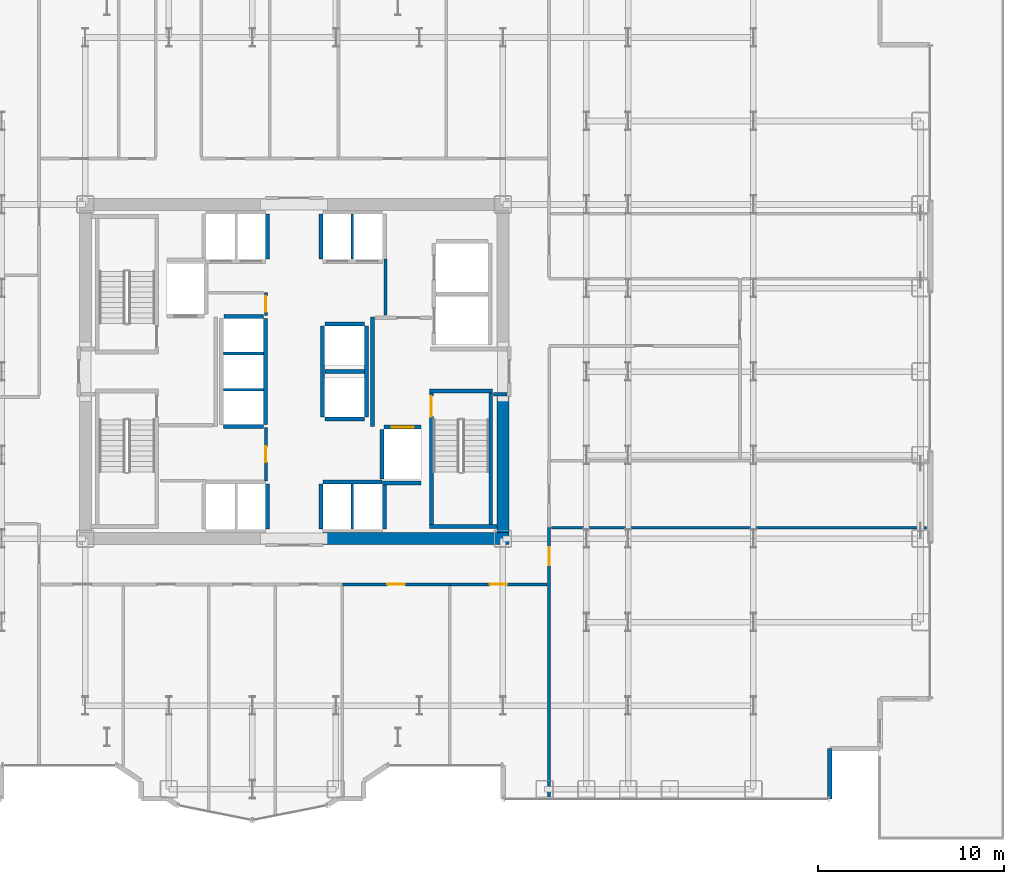
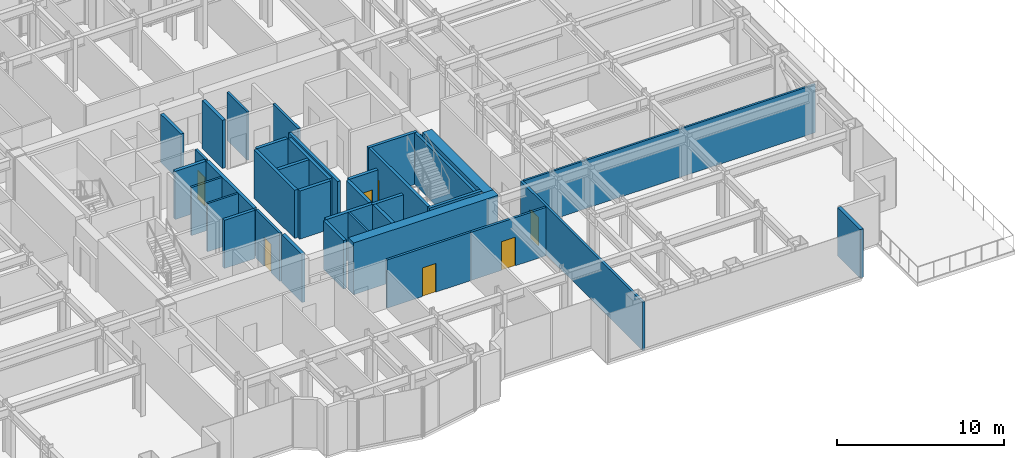
# One storey, part 24 of 30: 37 walls, 7 doors, 7 openings.
"""IFC4 building model written with IfcOpenShell, lengths in metres."""

from ifc_helpers import new_model, si_unit, direction, frame, frame_2d, origin, place, context, subcontext, project, spatial, rectangle, extrude, source, transform, mapped, material, layer, layer_set, type_object, element, fill, save


model = new_model("IFC4")

# Units and contexts
model_context = context("Model", 3, precision=1e-05, world=origin(), true_north=direction((0.0, 1.0)))
body_context = subcontext(model_context, "Body", "Model", "MODEL_VIEW")
ifc_project = project(units=[si_unit("LENGTHUNIT", "METRE"), si_unit("AREAUNIT", "SQUARE_METRE"), si_unit("VOLUMEUNIT", "CUBIC_METRE"), si_unit("PLANEANGLEUNIT", "RADIAN"), si_unit("MASSUNIT", "GRAM", prefix="KILO")], contexts=[model_context])

# Site, building, storey
site_placement = place(None, origin())
site = spatial("IfcSite", under=ifc_project, at=site_placement, CompositionType="ELEMENT")
building_placement = place(site_placement, origin())
building = spatial("IfcBuilding", under=site, at=building_placement, Name="Nefas-Gora Pilgrimage Tower", CompositionType="ELEMENT")
storey_placement = place(building_placement, frame((0.0, 0.0, 33.0)))
storey = spatial("IfcBuildingStorey", under=building, at=storey_placement, Name="L06", CompositionType="ELEMENT", Elevation=33.0)

# Walls
ifc_material_1 = material(Name="Concrete C60/75", Category="concrete")
ifc_layer_1 = layer(ifc_material_1, 0.64990234375)
ifc_layer_set_1 = layer_set([ifc_layer_1], Name="Concrete C60/75")
wall_type_1 = type_object("IfcWallType", Name="SW-CORE-650", PredefinedType="SHEAR", material=ifc_layer_set_1)
shared_shape_1 = source(origin(), body_context, "Body", "SweptSolid", [
    extrude(rectangle(XDim=10.02490234375, YDim=0.64990234375, at=frame_2d((5.012451171875, 0.0))), origin(), (0.0, 0.0, 1.0), 3.800048828125),
])
wall_1_placement = place(storey_placement, frame((1.550048828125, -9.0, 0.0), z_axis=(0.0, 0.0, 1.0), x_axis=(1.0, 0.0, 0.0)))
element("IfcWall", 1, at=wall_1_placement, inside=storey, type_object=wall_type_1, Name="L06 Core Shear Wall S-East", PredefinedType="SHEAR", context=body_context, shape_type="MappedRepresentation", body=[
    mapped(shared_shape_1, transform((0.0, 0.0, 0.0), x_axis=(1.0, 0.0, 0.0), y_axis=(0.0, 1.0, 0.0), z_axis=(0.0, 0.0, 1.0), scale=1.0)),
])
shared_shape_2 = source(origin(), body_context, "Body", "SweptSolid", [
    extrude(rectangle(XDim=7.324951171875, YDim=0.64990234375, at=frame_2d((3.66259765625, 0.0))), origin(), (0.0, 0.0, 1.0), 3.800048828125),
])
wall_2_placement = place(storey_placement, frame((11.25, -8.675048828125, 0.0), z_axis=(0.0, 0.0, 1.0), x_axis=(0.0, 1.0, 0.0)))
element("IfcWall", 2, at=wall_2_placement, inside=storey, type_object=wall_type_1, Name="L06 Core Shear Wall E-South", PredefinedType="SHEAR", context=body_context, shape_type="MappedRepresentation", body=[
    mapped(shared_shape_2, transform((0.0, 0.0, 0.0), x_axis=(1.0, 0.0, 0.0), y_axis=(0.0, 1.0, 0.0), z_axis=(0.0, 0.0, 1.0), scale=1.0)),
])
ifc_material_2 = material(Name="Precast concrete C45/55", Category="concrete")
ifc_layer_2 = layer(ifc_material_2, 0.239990234375)
ifc_layer_set_2 = layer_set([ifc_layer_2], Name="Precast concrete C45/55")
wall_type_2 = type_object("IfcWallType", Name="EW-SERR-240", PredefinedType="SHEAR", material=ifc_layer_set_2)
shared_shape_3 = source(origin(), body_context, "Body", "SweptSolid", [
    extrude(rectangle(XDim=2.699951171875, YDim=0.239990234375, at=frame_2d((1.35009765625, 0.0))), origin(), (0.0, 0.0, 1.0), 3.550048828125),
])
wall_3_placement = place(storey_placement, frame((28.8701171875, -23.02001953125, 0.0), z_axis=(0.0, 0.0, 1.0), x_axis=(0.0, 1.0, 0.0)))
element("IfcWall", 3, at=wall_3_placement, inside=storey, type_object=wall_type_2, Name="L06 Serrated Corner Shear Pier Wall 6", PredefinedType="SHEAR", context=body_context, shape_type="MappedRepresentation", body=[
    mapped(shared_shape_3, transform((0.0, 0.0, 0.0), x_axis=(1.0, 0.0, 0.0), y_axis=(0.0, 1.0, 0.0), z_axis=(0.0, 0.0, 1.0), scale=1.0)),
])
ifc_material_3 = material(Name="Concrete C45/55", Category="concrete")
ifc_layer_3 = layer(ifc_material_3, 0.199951171875)
ifc_layer_set_3 = layer_set([ifc_layer_3], Name="Concrete C45/55")
wall_type_3 = type_object("IfcWallType", Name="IW-STAIR-200", PredefinedType="SOLIDWALL", material=ifc_layer_set_3)
shared_shape_4 = source(origin(), body_context, "Body", "SweptSolid", [
    extrude(rectangle(XDim=3.39990234375, YDim=0.199951171875, at=frame_2d((1.699951171875, 0.0))), origin(), (0.0, 0.0, 1.0), 3.800048828125),
])
wall_4_placement = place(storey_placement, frame((7.300048828125, -1.050048828125, 0.0), z_axis=(0.0, 0.0, 1.0), x_axis=(1.0, 0.0, 0.0)))
element("IfcWall", 4, at=wall_4_placement, inside=storey, type_object=wall_type_3, Name="L06 Stairwell Shear Wall ST-02-near", PredefinedType="SOLIDWALL", context=body_context, shape_type="MappedRepresentation", body=[
    mapped(shared_shape_4, transform((0.0, 0.0, 0.0), x_axis=(1.0, 0.0, 0.0), y_axis=(0.0, 1.0, 0.0), z_axis=(0.0, 0.0, 1.0), scale=1.0)),
])
shared_shape_5 = source(origin(), body_context, "Body", "SweptSolid", [
    extrude(rectangle(XDim=3.6298828125, YDim=0.199951171875, at=frame_2d((1.81494140625, 0.0))), origin(), (0.0, 0.0, 1.0), 3.800048828125),
])
wall_5_placement = place(storey_placement, frame((7.300048828125, -8.35009765625, 0.0), z_axis=(0.0, 0.0, 1.0), x_axis=(1.0, 0.0, 0.0)))
element("IfcWall", 5, at=wall_5_placement, inside=storey, type_object=wall_type_3, Name="L06 Stairwell Shear Wall ST-02-far", PredefinedType="SOLIDWALL", context=body_context, shape_type="MappedRepresentation", body=[
    mapped(shared_shape_5, transform((0.0, 0.0, 0.0), x_axis=(1.0, 0.0, 0.0), y_axis=(0.0, 1.0, 0.0), z_axis=(0.0, 0.0, 1.0), scale=1.0)),
])

# Wall, opening, door
shared_shape_6 = source(origin(), body_context, "Body", "SweptSolid", [
    extrude(rectangle(XDim=7.10009765625, YDim=0.199951171875, at=frame_2d((3.550048828125, 0.0))), origin(), (0.0, 0.0, 1.0), 3.800048828125),
])
wall_6_placement = place(storey_placement, frame((7.39990234375, -1.14990234375, 0.0), z_axis=(0.0, 0.0, 1.0), x_axis=(0.0, -1.0, 0.0)))
wall_6 = element("IfcWall", 6, at=wall_6_placement, inside=storey, type_object=wall_type_3, Name="L06 Stairwell Shear Wall ST-02-left", PredefinedType="SOLIDWALL", context=body_context, shape_type="MappedRepresentation", body=[
    mapped(shared_shape_6, transform((0.0, 0.0, 0.0), x_axis=(1.0, 0.0, 0.0), y_axis=(0.0, 1.0, 0.0), z_axis=(0.0, 0.0, 1.0), scale=1.0)),
])
opening_1_placement = place(wall_6_placement, frame((0.179931640625, 0.0, 0.0)))
opening_1 = element("IfcOpeningElement", 7, at=opening_1_placement, cuts=wall_6, Name="Opening ID-ST1", PredefinedType="OPENING", context=body_context, shape_type="SweptSolid", body=[
    extrude(rectangle(XDim=1.10009765625, YDim=2.14990234375, at=frame_2d((0.550048828125, 1.074951171875))), frame((0.0, 0.10986328125, 0.0), z_axis=(0.0, -1.0, 0.0), x_axis=(1.0, 0.0, 0.0)), (0.0, 0.0, 1.0), 0.219970703125),
])
ifc_material_4 = material(Name="Painted galvanised steel fire stair door", Category="steel")
door_type_1 = type_object("IfcDoorType", Name="DR-INT-STAIR-1100", OperationType="NOTDEFINED", PredefinedType="DOOR", material=ifc_material_4)
shared_shape_7 = source(origin(), body_context, "Body", "SweptSolid", [
    extrude(rectangle(XDim=1.10009765625, YDim=2.14990234375, at=frame_2d((0.550048828125, 1.074951171875))), frame((0.0, 0.02490234375, 0.0), z_axis=(0.0, -1.0, 0.0), x_axis=(1.0, 0.0, 0.0)), (0.0, 0.0, 1.0), 0.050048828125),
])
door_1_placement = place(opening_1_placement, origin())
door_1 = element("IfcDoor", 8, at=door_1_placement, inside=storey, type_object=door_type_1, Name="L06 Protected Exit Stair Door ST-02", OperationType="SINGLE_SWING_LEFT", OverallHeight=2.14990234375, OverallWidth=1.10009765625, PredefinedType="DOOR", context=body_context, shape_type="MappedRepresentation", body=[
    mapped(shared_shape_7, transform((0.0, 0.0, 0.0), x_axis=(1.0, 0.0, 0.0), y_axis=(0.0, 1.0, 0.0), z_axis=(0.0, 0.0, 1.0), scale=1.0)),
])
fill(opening_1, door_1)

# Wall
wall_7_placement = place(storey_placement, frame((10.60009765625, -1.14990234375, 0.0), z_axis=(0.0, 0.0, 1.0), x_axis=(0.0, -1.0, 0.0)))
element("IfcWall", 9, at=wall_7_placement, inside=storey, type_object=wall_type_3, Name="L06 Stairwell Shear Wall ST-02-right", PredefinedType="SOLIDWALL", context=body_context, shape_type="MappedRepresentation", body=[
    mapped(shared_shape_6, transform((0.0, 0.0, 0.0), x_axis=(1.0, 0.0, 0.0), y_axis=(0.0, 1.0, 0.0), z_axis=(0.0, 0.0, 1.0), scale=1.0)),
])

# Wall, opening, door
ifc_material_5 = material(Name="Concrete C40/50", Category="concrete")
ifc_layer_4 = layer(ifc_material_5, 0.219970703125)
ifc_layer_set_4 = layer_set([ifc_layer_4], Name="Concrete C40/50")
wall_type_4 = type_object("IfcWallType", Name="IW-SHAFT-220", PredefinedType="SOLIDWALL", material=ifc_layer_set_4)
shared_shape_8 = source(origin(), body_context, "Body", "SweptSolid", [
    extrude(rectangle(XDim=2.0, YDim=0.219970703125, at=frame_2d((1.0, 0.0))), origin(), (0.0, 0.0, 1.0), 3.534912109375),
])
wall_8_placement = place(storey_placement, frame((6.85009765625, -2.989990234375, 0.0), z_axis=(0.0, 0.0, 1.0), x_axis=(-1.0, 0.0, 0.0)))
wall_8 = element("IfcWall", 10, at=wall_8_placement, inside=storey, type_object=wall_type_4, Name="L06 Hoistway Wall FFL-02-N", PredefinedType="SOLIDWALL", context=body_context, shape_type="MappedRepresentation", body=[
    mapped(shared_shape_8, transform((0.0, 0.0, 0.0), x_axis=(1.0, 0.0, 0.0), y_axis=(0.0, 1.0, 0.0), z_axis=(0.0, 0.0, 1.0), scale=1.0)),
])
opening_2_placement = place(wall_8_placement, frame((0.39990234375, 0.0, 0.0)))
opening_2 = element("IfcOpeningElement", 11, at=opening_2_placement, cuts=wall_8, Name="Opening LD-FF", PredefinedType="OPENING", context=body_context, shape_type="SweptSolid", body=[
    extrude(rectangle(XDim=1.199951171875, YDim=2.199951171875, at=frame_2d((0.60009765625, 1.10009765625))), frame((0.0, 0.119873046875, 0.0), z_axis=(0.0, -1.0, 0.0), x_axis=(1.0, 0.0, 0.0)), (0.0, 0.0, 1.0), 0.239990234375),
])
ifc_material_6 = material(Name="Fire-service sliding lift landing door")
door_type_2 = type_object("IfcDoorType", Name="DR-LIFT-FSAE-1200", OperationType="SLIDING_TO_LEFT", PredefinedType="DOOR", material=ifc_material_6)
shared_shape_9 = source(origin(), body_context, "Body", "SweptSolid", [
    extrude(rectangle(XDim=1.199951171875, YDim=2.199951171875, at=frame_2d((0.60009765625, 1.10009765625))), frame((0.0, 0.02490234375, 0.0), z_axis=(0.0, -1.0, 0.0), x_axis=(1.0, 0.0, 0.0)), (0.0, 0.0, 1.0), 0.050048828125),
])
door_2_placement = place(opening_2_placement, origin())
door_2 = element("IfcDoor", 12, at=door_2_placement, inside=storey, type_object=door_type_2, Name="L06 Sliding Lift Landing Door FFL-02", OperationType="SLIDING_TO_LEFT", OverallHeight=2.199951171875, OverallWidth=1.199951171875, PredefinedType="DOOR", context=body_context, shape_type="MappedRepresentation", body=[
    mapped(shared_shape_9, transform((0.0, 0.0, 0.0), x_axis=(1.0, 0.0, 0.0), y_axis=(0.0, 1.0, 0.0), z_axis=(0.0, 0.0, 1.0), scale=1.0)),
])
fill(opening_2, door_2)

# Walls
shared_shape_10 = source(origin(), body_context, "Body", "SweptSolid", [
    extrude(rectangle(XDim=2.679931640625, YDim=0.219970703125, at=frame_2d((1.33984375, 0.0))), origin(), (0.0, 0.0, 1.0), 3.534912109375),
])
wall_9_placement = place(storey_placement, frame((4.739990234375, -3.110107421875, 0.0), z_axis=(0.0, 0.0, 1.0), x_axis=(0.0, -1.0, 0.0)))
element("IfcWall", 13, at=wall_9_placement, inside=storey, type_object=wall_type_4, Name="L06 Hoistway Wall FFL-02-W", PredefinedType="SOLIDWALL", context=body_context, shape_type="MappedRepresentation", body=[
    mapped(shared_shape_10, transform((0.0, 0.0, 0.0), x_axis=(1.0, 0.0, 0.0), y_axis=(0.0, 1.0, 0.0), z_axis=(0.0, 0.0, 1.0), scale=1.0)),
])
shared_shape_11 = source(origin(), body_context, "Body", "SweptSolid", [
    extrude(rectangle(XDim=3.199951171875, YDim=0.219970703125, at=frame_2d((1.60009765625, 0.0))), origin(), (0.0, 0.0, 1.0), 3.534912109375),
])
wall_10_placement = place(storey_placement, frame((4.75, -5.93994140625, 0.0), z_axis=(0.0, 0.0, 1.0), x_axis=(-1.0, 0.0, 0.0)))
element("IfcWall", 14, at=wall_10_placement, inside=storey, type_object=wall_type_4, Name="L06 Hoistway Wall PL2-E-N", PredefinedType="SOLIDWALL", context=body_context, shape_type="MappedRepresentation", body=[
    mapped(shared_shape_11, transform((0.0, 0.0, 0.0), x_axis=(1.0, 0.0, 0.0), y_axis=(0.0, 1.0, 0.0), z_axis=(0.0, 0.0, 1.0), scale=1.0)),
])
shared_shape_12 = source(origin(), body_context, "Body", "SweptSolid", [
    extrude(rectangle(XDim=2.429931640625, YDim=0.219970703125, at=frame_2d((1.21484375, 0.0))), origin(), (0.0, 0.0, 1.0), 3.534912109375),
])
for number, where, z_axis, x_axis, name in (
    (15, (-1.43994140625, 6.06005859375, 0.0), (0.0, 0.0, 1.0), (0.0, 1.0, 0.0), "L06 Hoistway Wall PL1-W-E"),
    (16, (1.43994140625, 8.489990234375, 0.0), (0.0, 0.0, 1.0), (0.0, -1.0, 0.0), "L06 Hoistway Wall PL1-E-W"),
    (17, (-1.43994140625, -8.489990234375, 0.0), (0.0, 0.0, 1.0), (0.0, 1.0, 0.0), "L06 Hoistway Wall PL2-W-E"),
    (18, (1.43994140625, -6.06005859375, 0.0), (0.0, 0.0, 1.0), (0.0, -1.0, 0.0), "L06 Hoistway Wall PL2-E-W"),
    (19, (4.860107421875, -8.489990234375, 0.0), (0.0, 0.0, 1.0), (0.0, 1.0, 0.0), "L06 Hoistway Wall PL2-E-E"),
):
    element("IfcWall", number, at=place(storey_placement, frame(where, z_axis=z_axis, x_axis=x_axis)), inside=storey, type_object=wall_type_4, Name=name, PredefinedType="SOLIDWALL", context=body_context, shape_type="MappedRepresentation", body=[
        mapped(shared_shape_12, transform((0.0, 0.0, 0.0), x_axis=(1.0, 0.0, 0.0), y_axis=(0.0, 1.0, 0.0), z_axis=(0.0, 0.0, 1.0), scale=1.0)),
    ])
ifc_material_7 = material(Name="Gypsum twin-stud partition")
ifc_layer_5 = layer(ifc_material_7, 0.139892578125)
ifc_layer_set_5 = layer_set([ifc_layer_5], Name="Gypsum twin-stud partition")
wall_type_5 = type_object("IfcWallType", Name="IW-UNIT-140", PredefinedType="PARTITIONING", material=ifc_layer_set_5)
shared_shape_13 = source(origin(), body_context, "Body", "SweptSolid", [
    extrude(rectangle(XDim=2.429931640625, YDim=0.139892578125, at=frame_2d((1.21484375, 0.0))), origin(), (0.0, 0.0, 1.0), 3.534912109375),
])
for number, where, z_axis, x_axis, name in (
    (20, (3.125, 6.06005859375, 0.0), (0.0, 0.0, 1.0), (0.0, 1.0, 0.0), "L06 Hoistway Wall PL1-E-DIV"),
    (21, (3.125, -8.489990234375, 0.0), (0.0, 0.0, 1.0), (0.0, 1.0, 0.0), "L06 Hoistway Wall PL2-E-DIV"),
):
    element("IfcWall", number, at=place(storey_placement, frame(where, z_axis=z_axis, x_axis=x_axis)), inside=storey, type_object=wall_type_5, Name=name, PredefinedType="PARTITIONING", context=body_context, shape_type="MappedRepresentation", body=[
        mapped(shared_shape_13, transform((0.0, 0.0, 0.0), x_axis=(1.0, 0.0, 0.0), y_axis=(0.0, 1.0, 0.0), z_axis=(0.0, 0.0, 1.0), scale=1.0)),
    ])
shared_shape_14 = source(origin(), body_context, "Body", "SweptSolid", [
    extrude(rectangle(XDim=5.7001953125, YDim=0.219970703125, at=frame_2d((2.85009765625, 0.0))), origin(), (0.0, 0.0, 1.0), 3.534912109375),
])
wall_11_placement = place(storey_placement, frame((-1.5400390625, -2.85009765625, 0.0), z_axis=(0.0, 0.0, 1.0), x_axis=(0.0, 1.0, 0.0)))
element("IfcWall", 22, at=wall_11_placement, inside=storey, type_object=wall_type_4, Name="L06 Hoistway Wall PL3-01-03-E", PredefinedType="SOLIDWALL", context=body_context, shape_type="MappedRepresentation", body=[
    mapped(shared_shape_14, transform((0.0, 0.0, 0.0), x_axis=(1.0, 0.0, 0.0), y_axis=(0.0, 1.0, 0.0), z_axis=(0.0, 0.0, 1.0), scale=1.0)),
])
shared_shape_15 = source(origin(), body_context, "Body", "SweptSolid", [
    extrude(rectangle(XDim=2.130126953125, YDim=0.219970703125, at=frame_2d((1.06494140625, 0.0))), origin(), (0.0, 0.0, 1.0), 3.534912109375),
])
for number, where, z_axis, x_axis, name in (
    (23, (-3.7900390625, -2.9599609375, 0.0), (0.0, 0.0, 1.0), (1.0, 0.0, 0.0), "L06 Hoistway Wall PL3-01-S"),
    (24, (-1.659912109375, 2.9599609375, 0.0), (0.0, 0.0, 1.0), (-1.0, 0.0, 0.0), "L06 Hoistway Wall PL3-03-N"),
    (25, (1.659912109375, -2.56005859375, 0.0), (0.0, 0.0, 1.0), (1.0, 0.0, 0.0), "L06 Hoistway Wall OBS-01-S"),
    (26, (1.659912109375, 0.0, 0.0), (0.0, 0.0, 1.0), (1.0, 0.0, 0.0), "L06 Hoistway Wall OBS-01-02-DIV"),
    (27, (3.7900390625, 2.56005859375, 0.0), (0.0, 0.0, 1.0), (-1.0, 0.0, 0.0), "L06 Hoistway Wall OBS-02-N"),
):
    element("IfcWall", number, at=place(storey_placement, frame(where, z_axis=z_axis, x_axis=x_axis)), inside=storey, type_object=wall_type_4, Name=name, PredefinedType="SOLIDWALL", context=body_context, shape_type="MappedRepresentation", body=[
        mapped(shared_shape_15, transform((0.0, 0.0, 0.0), x_axis=(1.0, 0.0, 0.0), y_axis=(0.0, 1.0, 0.0), z_axis=(0.0, 0.0, 1.0), scale=1.0)),
    ])
shared_shape_16 = source(origin(), body_context, "Body", "SweptSolid", [
    extrude(rectangle(XDim=2.130126953125, YDim=0.139892578125, at=frame_2d((1.06494140625, 0.0))), origin(), (0.0, 0.0, 1.0), 3.534912109375),
])
for number, where, z_axis, x_axis, name in (
    (28, (-3.7900390625, -0.97509765625, 0.0), (0.0, 0.0, 1.0), (1.0, 0.0, 0.0), "L06 Hoistway Wall PL3-01-02-DIV"),
    (29, (-3.7900390625, 0.97509765625, 0.0), (0.0, 0.0, 1.0), (1.0, 0.0, 0.0), "L06 Hoistway Wall PL3-02-03-DIV"),
):
    element("IfcWall", number, at=place(storey_placement, frame(where, z_axis=z_axis, x_axis=x_axis)), inside=storey, type_object=wall_type_5, Name=name, PredefinedType="PARTITIONING", context=body_context, shape_type="MappedRepresentation", body=[
        mapped(shared_shape_16, transform((0.0, 0.0, 0.0), x_axis=(1.0, 0.0, 0.0), y_axis=(0.0, 1.0, 0.0), z_axis=(0.0, 0.0, 1.0), scale=1.0)),
    ])
shared_shape_17 = source(origin(), body_context, "Body", "SweptSolid", [
    extrude(rectangle(XDim=4.89990234375, YDim=0.219970703125, at=frame_2d((2.449951171875, 0.0))), origin(), (0.0, 0.0, 1.0), 3.534912109375),
])
for number, where, z_axis, x_axis, name in (
    (30, (1.5400390625, 2.449951171875, 0.0), (0.0, 0.0, 1.0), (0.0, -1.0, 0.0), "L06 Hoistway Wall OBS-01-02-W"),
    (31, (3.909912109375, -2.449951171875, 0.0), (0.0, 0.0, 1.0), (0.0, 1.0, 0.0), "L06 Hoistway Wall OBS-01-02-E"),
):
    element("IfcWall", number, at=place(storey_placement, frame(where, z_axis=z_axis, x_axis=x_axis)), inside=storey, type_object=wall_type_4, Name=name, PredefinedType="SOLIDWALL", context=body_context, shape_type="MappedRepresentation", body=[
        mapped(shared_shape_17, transform((0.0, 0.0, 0.0), x_axis=(1.0, 0.0, 0.0), y_axis=(0.0, 1.0, 0.0), z_axis=(0.0, 0.0, 1.0), scale=1.0)),
    ])
shared_shape_18 = source(origin(), body_context, "Body", "SweptSolid", [
    extrude(rectangle(XDim=2.09521484375, YDim=0.219970703125, at=frame_2d((1.047607421875, 0.0))), origin(), (0.0, 0.0, 1.0), 3.534912109375),
])
wall_12_placement = place(storey_placement, frame((4.7548828125, -6.0, 0.0), z_axis=(0.0, 0.0, 1.0), x_axis=(1.0, 0.0, 0.0)))
element("IfcWall", 32, at=wall_12_placement, inside=storey, type_object=wall_type_4, Name="L06 Riser Shaft Wall 2", PredefinedType="SOLIDWALL", context=body_context, shape_type="MappedRepresentation", body=[
    mapped(shared_shape_18, transform((0.0, 0.0, 0.0), x_axis=(1.0, 0.0, 0.0), y_axis=(0.0, 1.0, 0.0), z_axis=(0.0, 0.0, 1.0), scale=1.0)),
])
ifc_material_8 = material(Name="Gypsum fire-rated shaftwall")
ifc_layer_6 = layer(ifc_material_8, 0.199951171875)
ifc_layer_set_6 = layer_set([ifc_layer_6], Name="Gypsum fire-rated shaftwall")
wall_type_6 = type_object("IfcWallType", Name="IW-FFLOB-200", PredefinedType="PARTITIONING", material=ifc_layer_set_6)
shared_shape_19 = source(origin(), body_context, "Body", "SweptSolid", [
    extrude(rectangle(XDim=5.89990234375, YDim=0.199951171875, at=frame_2d((2.949951171875, 0.0))), origin(), (0.0, 0.0, 1.0), 3.534912109375),
])
wall_13_placement = place(storey_placement, frame((4.219970703125, -2.949951171875, 0.0), z_axis=(0.0, 0.0, 1.0), x_axis=(0.0, 1.0, 0.0)))
element("IfcWall", 33, at=wall_13_placement, inside=storey, type_object=wall_type_6, Name="L06 FF Lobby East Inner Wall Wall 9", PredefinedType="PARTITIONING", context=body_context, shape_type="MappedRepresentation", body=[
    mapped(shared_shape_19, transform((0.0, 0.0, 0.0), x_axis=(1.0, 0.0, 0.0), y_axis=(0.0, 1.0, 0.0), z_axis=(0.0, 0.0, 1.0), scale=1.0)),
])
shared_shape_20 = source(origin(), body_context, "Body", "SweptSolid", [
    extrude(rectangle(XDim=0.719970703125, YDim=0.199951171875, at=frame_2d((0.35986328125, 0.0))), origin(), (0.0, 0.0, 1.0), 3.534912109375),
])
wall_14_placement = place(storey_placement, frame((10.739990234375, -1.219970703125, 0.0), z_axis=(0.0, 0.0, 1.0), x_axis=(1.0, 0.0, 0.0)))
element("IfcWall", 34, at=wall_14_placement, inside=storey, type_object=wall_type_6, Name="L06 FF Lobby East Throat S Wall 12", PredefinedType="PARTITIONING", context=body_context, shape_type="MappedRepresentation", body=[
    mapped(shared_shape_20, transform((0.0, 0.0, 0.0), x_axis=(1.0, 0.0, 0.0), y_axis=(0.0, 1.0, 0.0), z_axis=(0.0, 0.0, 1.0), scale=1.0)),
])
ifc_material_9 = material(Name="Gypsum acoustic stud partition")
ifc_layer_7 = layer(ifc_material_9, 0.159912109375)
ifc_layer_set_7 = layer_set([ifc_layer_7], Name="Gypsum acoustic stud partition")
wall_type_7 = type_object("IfcWallType", Name="IW-CORR-160", PredefinedType="PARTITIONING", material=ifc_layer_set_7)
shared_shape_21 = source(origin(), body_context, "Body", "SweptSolid", [
    extrude(rectangle(XDim=3.014892578125, YDim=0.159912109375, at=frame_2d((1.50732421875, 0.0))), origin(), (0.0, 0.0, 1.0), 3.534912109375),
])
wall_15_placement = place(storey_placement, frame((4.919921875, 3.0400390625, 0.0), z_axis=(0.0, 0.0, 1.0), x_axis=(0.0, 1.0, 0.0)))
element("IfcWall", 35, at=wall_15_placement, inside=storey, type_object=wall_type_7, Name="L06 Service Lift Lobby West Wall Wall 15", PredefinedType="PARTITIONING", context=body_context, shape_type="MappedRepresentation", body=[
    mapped(shared_shape_21, transform((0.0, 0.0, 0.0), x_axis=(1.0, 0.0, 0.0), y_axis=(0.0, 1.0, 0.0), z_axis=(0.0, 0.0, 1.0), scale=1.0)),
])

# Wall, opening, door
shared_shape_22 = source(origin(), body_context, "Body", "SweptSolid", [
    extrude(rectangle(XDim=1.25, YDim=0.159912109375, at=frame_2d((0.625, 0.0))), origin(), (0.0, 0.0, 1.0), 3.534912109375),
])
wall_16_placement = place(storey_placement, frame((-1.52001953125, 3.010009765625, 0.0), z_axis=(0.0, 0.0, 1.0), x_axis=(0.0, 1.0, 0.0)))
wall_16 = element("IfcWall", 36, at=wall_16_placement, inside=storey, type_object=wall_type_7, Name="L06 Housekeeping and Linen Store Wall 16", PredefinedType="PARTITIONING", context=body_context, shape_type="MappedRepresentation", body=[
    mapped(shared_shape_22, transform((0.0, 0.0, 0.0), x_axis=(1.0, 0.0, 0.0), y_axis=(0.0, 1.0, 0.0), z_axis=(0.0, 0.0, 1.0), scale=1.0)),
])
opening_3_placement = place(wall_16_placement, frame((0.199951171875, 0.0, 0.0)))
opening_3 = element("IfcOpeningElement", 37, at=opening_3_placement, cuts=wall_16, Name="Opening ID-BT1", PredefinedType="OPENING", context=body_context, shape_type="SweptSolid", body=[
    extrude(rectangle(XDim=0.85009765625, YDim=2.10009765625, at=frame_2d((0.425048828125, 1.050048828125))), frame((0.0, 0.08984375, 0.0), z_axis=(0.0, -1.0, 0.0), x_axis=(1.0, 0.0, 0.0)), (0.0, 0.0, 1.0), 0.179931640625),
])
ifc_material_10 = material(Name="Moisture-resistant fire-rated timber door", Category="wood")
door_type_3 = type_object("IfcDoorType", Name="DR-INT-BATH-850", OperationType="NOTDEFINED", PredefinedType="DOOR", material=ifc_material_10)
shared_shape_23 = source(origin(), body_context, "Body", "SweptSolid", [
    extrude(rectangle(XDim=0.85009765625, YDim=2.10009765625, at=frame_2d((0.425048828125, 1.050048828125))), frame((0.0, 0.02490234375, 0.0), z_axis=(0.0, -1.0, 0.0), x_axis=(1.0, 0.0, 0.0)), (0.0, 0.0, 1.0), 0.050048828125),
])
door_3_placement = place(opening_3_placement, origin())
door_3 = element("IfcDoor", 38, at=door_3_placement, inside=storey, type_object=door_type_3, Name="L06 Housekeeping and Linen Store Door 6", OperationType="SINGLE_SWING_RIGHT", OverallHeight=2.10009765625, OverallWidth=0.85009765625, PredefinedType="DOOR", context=body_context, shape_type="MappedRepresentation", body=[
    mapped(shared_shape_23, transform((0.0, 0.0, 0.0), x_axis=(1.0, 0.0, 0.0), y_axis=(0.0, 1.0, 0.0), z_axis=(0.0, 0.0, 1.0), scale=1.0)),
])
fill(opening_3, door_3)

shared_shape_24 = source(origin(), body_context, "Body", "SweptSolid", [
    extrude(rectangle(XDim=2.8798828125, YDim=0.159912109375, at=frame_2d((1.43994140625, 0.0))), origin(), (0.0, 0.0, 1.0), 3.534912109375),
])
wall_17_placement = place(storey_placement, frame((-1.52001953125, -5.889892578125, 0.0), z_axis=(0.0, 0.0, 1.0), x_axis=(0.0, 1.0, 0.0)))
wall_17 = element("IfcWall", 39, at=wall_17_placement, inside=storey, type_object=wall_type_7, Name="L06 Pilgrim Baggage and Gear Vault Wall 18", PredefinedType="PARTITIONING", context=body_context, shape_type="MappedRepresentation", body=[
    mapped(shared_shape_24, transform((0.0, 0.0, 0.0), x_axis=(1.0, 0.0, 0.0), y_axis=(0.0, 1.0, 0.0), z_axis=(0.0, 0.0, 1.0), scale=1.0)),
])
opening_4_placement = place(wall_17_placement, frame((1.014892578125, 0.0, 0.0)))
opening_4 = element("IfcOpeningElement", 40, at=opening_4_placement, cuts=wall_17, Name="Opening ID-BT1", PredefinedType="OPENING", context=body_context, shape_type="SweptSolid", body=[
    extrude(rectangle(XDim=0.85009765625, YDim=2.10009765625, at=frame_2d((0.425048828125, 1.050048828125))), frame((0.0, 0.08984375, 0.0), z_axis=(0.0, -1.0, 0.0), x_axis=(1.0, 0.0, 0.0)), (0.0, 0.0, 1.0), 0.179931640625),
])
door_4_placement = place(opening_4_placement, origin())
door_4 = element("IfcDoor", 41, at=door_4_placement, inside=storey, type_object=door_type_3, Name="L06 Pilgrim Baggage and Gear Vault Door 7", OperationType="SINGLE_SWING_LEFT", OverallHeight=2.10009765625, OverallWidth=0.85009765625, PredefinedType="DOOR", context=body_context, shape_type="MappedRepresentation", body=[
    mapped(shared_shape_23, transform((0.0, 0.0, 0.0), x_axis=(1.0, 0.0, 0.0), y_axis=(0.0, 1.0, 0.0), z_axis=(0.0, 0.0, 1.0), scale=1.0)),
])
fill(opening_4, door_4)

# Wall
shared_shape_25 = source(origin(), body_context, "Body", "SweptSolid", [
    extrude(rectangle(XDim=20.219970703125, YDim=0.139892578125, at=frame_2d((10.10986328125, 0.0))), origin(), (0.0, 0.0, 1.0), 3.534912109375),
])
wall_18_placement = place(storey_placement, frame((13.860107421875, -8.405029296875, 0.0), z_axis=(0.0, 0.0, 1.0), x_axis=(1.0, 0.0, 0.0)))
element("IfcWall", 42, at=wall_18_placement, inside=storey, type_object=wall_type_5, Name="L06 Pilgrim Contemplative Lounge Partition Wall 31", PredefinedType="PARTITIONING", context=body_context, shape_type="MappedRepresentation", body=[
    mapped(shared_shape_25, transform((0.0, 0.0, 0.0), x_axis=(1.0, 0.0, 0.0), y_axis=(0.0, 1.0, 0.0), z_axis=(0.0, 0.0, 1.0), scale=1.0)),
])

# Wall, opening, door
shared_shape_26 = source(origin(), body_context, "Body", "SweptSolid", [
    extrude(rectangle(XDim=14.64501953125, YDim=0.159912109375, at=frame_2d((7.322509765625, 0.0))), origin(), (0.0, 0.0, 1.0), 3.534912109375),
])
wall_19_placement = place(storey_placement, frame((13.739990234375, -23.0400390625, 0.0), z_axis=(0.0, 0.0, 1.0), x_axis=(0.0, 1.0, 0.0)))
wall_19 = element("IfcWall", 43, at=wall_19_placement, inside=storey, type_object=wall_type_7, Name="L06 Pilgrim Contemplative Lounge Partition Wall 30", PredefinedType="PARTITIONING", context=body_context, shape_type="MappedRepresentation", body=[
    mapped(shared_shape_26, transform((0.0, 0.0, 0.0), x_axis=(1.0, 0.0, 0.0), y_axis=(0.0, 1.0, 0.0), z_axis=(0.0, 0.0, 1.0), scale=1.0)),
])
opening_5_placement = place(wall_19_placement, frame((12.612548828125, 0.0, 0.0)))
opening_5 = element("IfcOpeningElement", 44, at=opening_5_placement, cuts=wall_19, Name="Opening ID-GR1", PredefinedType="OPENING", context=body_context, shape_type="SweptSolid", body=[
    extrude(rectangle(XDim=0.949951171875, YDim=2.10009765625, at=frame_2d((0.47509765625, 1.050048828125))), frame((0.0, 0.08984375, 0.0), z_axis=(0.0, -1.0, 0.0), x_axis=(1.0, 0.0, 0.0)), (0.0, 0.0, 1.0), 0.179931640625),
])
ifc_material_11 = material(Name="Solid core oak fire-rated guest entrance door")
door_type_4 = type_object("IfcDoorType", Name="DR-INT-GUEST-950", OperationType="NOTDEFINED", PredefinedType="DOOR", material=ifc_material_11)
shared_shape_27 = source(origin(), body_context, "Body", "SweptSolid", [
    extrude(rectangle(XDim=0.949951171875, YDim=2.10009765625, at=frame_2d((0.47509765625, 1.050048828125))), frame((0.0, 0.02490234375, 0.0), z_axis=(0.0, -1.0, 0.0), x_axis=(1.0, 0.0, 0.0)), (0.0, 0.0, 1.0), 0.050048828125),
])
door_5_placement = place(opening_5_placement, origin())
door_5 = element("IfcDoor", 45, at=door_5_placement, inside=storey, type_object=door_type_4, Name="L06 Pilgrim Contemplative Lounge Door 13", OperationType="SINGLE_SWING_LEFT", OverallHeight=2.10009765625, OverallWidth=0.949951171875, PredefinedType="DOOR", context=body_context, shape_type="MappedRepresentation", body=[
    mapped(shared_shape_27, transform((0.0, 0.0, 0.0), x_axis=(1.0, 0.0, 0.0), y_axis=(0.0, 1.0, 0.0), z_axis=(0.0, 0.0, 1.0), scale=1.0)),
])
fill(opening_5, door_5)

shared_shape_28 = source(origin(), body_context, "Body", "SweptSolid", [
    extrude(rectangle(XDim=5.81005859375, YDim=0.159912109375, at=frame_2d((2.905029296875, 0.0))), origin(), (0.0, 0.0, 1.0), 3.534912109375),
])
wall_20_placement = place(storey_placement, frame((2.594970703125, -11.469970703125, 0.0), z_axis=(0.0, 0.0, 1.0), x_axis=(1.0, 0.0, 0.0)))
wall_20 = element("IfcWall", 46, at=wall_20_placement, inside=storey, type_object=wall_type_7, Name="L06 Pilgrim Contemplative Lounge Partition Wall 59", PredefinedType="PARTITIONING", context=body_context, shape_type="MappedRepresentation", body=[
    mapped(shared_shape_28, transform((0.0, 0.0, 0.0), x_axis=(1.0, 0.0, 0.0), y_axis=(0.0, 1.0, 0.0), z_axis=(0.0, 0.0, 1.0), scale=1.0)),
])
opening_6_placement = place(wall_20_placement, frame((2.429931640625, 0.0, 0.0)))
opening_6 = element("IfcOpeningElement", 47, at=opening_6_placement, cuts=wall_20, Name="Opening ID-GR1", PredefinedType="OPENING", context=body_context, shape_type="SweptSolid", body=[
    extrude(rectangle(XDim=0.949951171875, YDim=2.10009765625, at=frame_2d((0.47509765625, 1.050048828125))), frame((0.0, 0.08984375, 0.0), z_axis=(0.0, -1.0, 0.0), x_axis=(1.0, 0.0, 0.0)), (0.0, 0.0, 1.0), 0.179931640625),
])
door_6_placement = place(opening_6_placement, origin())
door_6 = element("IfcDoor", 48, at=door_6_placement, inside=storey, type_object=door_type_4, Name="L06 Pilgrim Contemplative Lounge Door 28", OperationType="SINGLE_SWING_RIGHT", OverallHeight=2.10009765625, OverallWidth=0.949951171875, PredefinedType="DOOR", context=body_context, shape_type="MappedRepresentation", body=[
    mapped(shared_shape_27, transform((0.0, 0.0, 0.0), x_axis=(1.0, 0.0, 0.0), y_axis=(0.0, 1.0, 0.0), z_axis=(0.0, 0.0, 1.0), scale=1.0)),
])
fill(opening_6, door_6)

shared_shape_29 = source(origin(), body_context, "Body", "SweptSolid", [
    extrude(rectangle(XDim=5.22509765625, YDim=0.159912109375, at=frame_2d((2.612548828125, 0.0))), origin(), (0.0, 0.0, 1.0), 3.534912109375),
])
wall_21_placement = place(storey_placement, frame((8.39501953125, -11.469970703125, 0.0), z_axis=(0.0, 0.0, 1.0), x_axis=(1.0, 0.0, 0.0)))
wall_21 = element("IfcWall", 49, at=wall_21_placement, inside=storey, type_object=wall_type_7, Name="L06 Pilgrim Contemplative Lounge Partition Wall 61", PredefinedType="PARTITIONING", context=body_context, shape_type="MappedRepresentation", body=[
    mapped(shared_shape_29, transform((0.0, 0.0, 0.0), x_axis=(1.0, 0.0, 0.0), y_axis=(0.0, 1.0, 0.0), z_axis=(0.0, 0.0, 1.0), scale=1.0)),
])
opening_7_placement = place(wall_21_placement, frame((2.137451171875, 0.0, 0.0)))
opening_7 = element("IfcOpeningElement", 50, at=opening_7_placement, cuts=wall_21, Name="Opening ID-GR1", PredefinedType="OPENING", context=body_context, shape_type="SweptSolid", body=[
    extrude(rectangle(XDim=0.949951171875, YDim=2.10009765625, at=frame_2d((0.47509765625, 1.050048828125))), frame((0.0, 0.08984375, 0.0), z_axis=(0.0, -1.0, 0.0), x_axis=(1.0, 0.0, 0.0)), (0.0, 0.0, 1.0), 0.179931640625),
])
door_7_placement = place(opening_7_placement, origin())
door_7 = element("IfcDoor", 51, at=door_7_placement, inside=storey, type_object=door_type_4, Name="L06 Pilgrim Contemplative Lounge Door 29", OperationType="SINGLE_SWING_LEFT", OverallHeight=2.10009765625, OverallWidth=0.949951171875, PredefinedType="DOOR", context=body_context, shape_type="MappedRepresentation", body=[
    mapped(shared_shape_27, transform((0.0, 0.0, 0.0), x_axis=(1.0, 0.0, 0.0), y_axis=(0.0, 1.0, 0.0), z_axis=(0.0, 0.0, 1.0), scale=1.0)),
])
fill(opening_7, door_7)

save(model, "model.ifc")
